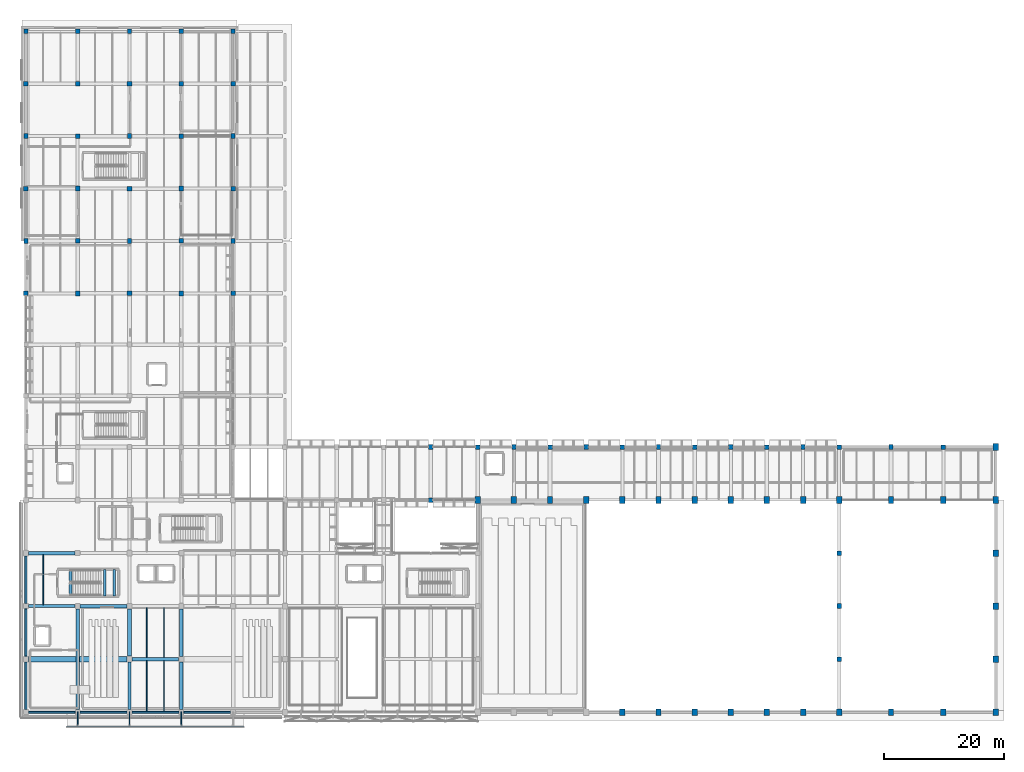
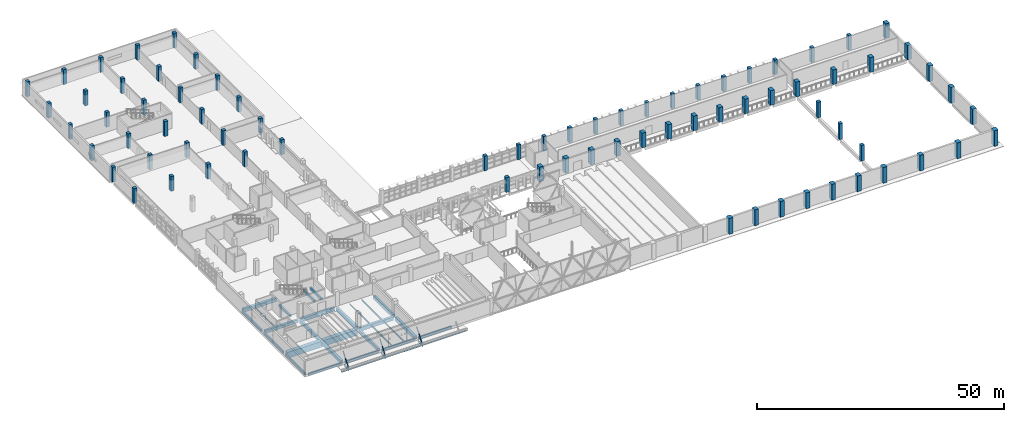
# One storey, part 7 of 80: 76 columns, 29 beams, 3 members.
"""IFC4 building model written with IfcOpenShell, lengths in metres."""

from ifc_helpers import new_model, si_unit, direction, frame, origin, origin_2d, place, context, subcontext, project, spatial, rectangle, hollow_circle, i_section, extrude, material, material_profile, profile_set, type_object, element, save


model = new_model("IFC4")

# Units and contexts
model_context = context("Model", 3, precision=1e-05, world=origin(), true_north=direction((0.0, 1.0)))
body_context = subcontext(model_context, "Body", "Model", "MODEL_VIEW")
ifc_project = project(units=[si_unit("LENGTHUNIT", "METRE"), si_unit("AREAUNIT", "SQUARE_METRE"), si_unit("VOLUMEUNIT", "CUBIC_METRE"), si_unit("PLANEANGLEUNIT", "RADIAN"), si_unit("MASSUNIT", "GRAM", prefix="KILO")], contexts=[model_context])

# Site, building, storey
site_placement = place(None, origin())
site = spatial("IfcSite", under=ifc_project, at=site_placement, CompositionType="ELEMENT")
building_placement = place(site_placement, origin())
building = spatial("IfcBuilding", under=site, at=building_placement, Name="Varnakota Cinema and Media Centre", CompositionType="ELEMENT")
storey_placement = place(building_placement, frame((0.0, 0.0, 4.5)))
storey = spatial("IfcBuildingStorey", under=building, at=storey_placement, Name="L01", CompositionType="ELEMENT", Elevation=4.5)

# Columns
ifc_material_1 = material(Name="Concrete M40", Category="concrete")
ifc_material_profile_1 = material_profile(ifc_material_1, rectangle(XDim=0.699951171875, YDim=0.800048828125, at=origin_2d()), Name="RC 700x800")
ifc_profile_set_1 = profile_set([ifc_material_profile_1], Name="Concrete M40")
column_type_1 = type_object("IfcColumnType", Name="COL-RC-700x800", PredefinedType="COLUMN", material=ifc_profile_set_1)
for number, where, z_axis, x_axis, name in (
    (1, (0.0, 78.199951171875, 0.0), (0.0, 0.0, 1.0), (1.0, 0.0, 0.0), "L01 column A/10"),
    (2, (0.0, 95.60009765625, 0.0), (0.0, 0.0, 1.0), (1.0, 0.0, 0.0), "L01 column A/12"),
    (3, (0.0, 113.0, 0.0), (0.0, 0.0, 1.0), (1.0, 0.0, 0.0), "L01 column A/14"),
    (4, (8.60009765625, 69.5, 0.0), (0.0, 0.0, 1.0), (1.0, 0.0, 0.0), "L01 column B/9"),
    (5, (8.60009765625, 86.89990234375, 0.0), (0.0, 0.0, 1.0), (1.0, 0.0, 0.0), "L01 column B/11"),
    (6, (8.60009765625, 104.300048828125, 0.0), (0.0, 0.0, 1.0), (1.0, 0.0, 0.0), "L01 column B/13"),
    (7, (17.199951171875, 78.199951171875, 0.0), (0.0, 0.0, 1.0), (1.0, 0.0, 0.0), "L01 column C/10"),
    (8, (17.199951171875, 95.60009765625, 0.0), (0.0, 0.0, 1.0), (1.0, 0.0, 0.0), "L01 column C/12"),
    (9, (17.199951171875, 113.0, 0.0), (0.0, 0.0, 1.0), (1.0, 0.0, 0.0), "L01 column C/14"),
    (10, (25.800048828125, 69.5, 0.0), (0.0, 0.0, 1.0), (1.0, 0.0, 0.0), "L01 column D/9"),
    (11, (25.800048828125, 86.89990234375, 0.0), (0.0, 0.0, 1.0), (1.0, 0.0, 0.0), "L01 column D/11"),
    (12, (25.800048828125, 104.300048828125, 0.0), (0.0, 0.0, 1.0), (1.0, 0.0, 0.0), "L01 column D/13"),
    (13, (34.39990234375, 78.199951171875, 0.0), (0.0, 0.0, 1.0), (1.0, 0.0, 0.0), "L01 column E/10"),
    (14, (34.39990234375, 95.60009765625, 0.0), (0.0, 0.0, 1.0), (1.0, 0.0, 0.0), "L01 column E/12"),
    (15, (34.39990234375, 113.0, 0.0), (0.0, 0.0, 1.0), (1.0, 0.0, 0.0), "L01 column E/14"),
    (16, (67.199951171875, 44.0, 0.0), (0.0, 0.0, 1.0), (1.0, 0.0, 0.0), "L01 column J/6"),
    (17, (81.0, 44.0, 0.0), (0.0, 0.0, 1.0), (1.0, 0.0, 0.0), "L01 column L/6"),
    (18, (93.0, 44.0, 0.0), (0.0, 0.0, 1.0), (1.0, 0.0, 0.0), "L01 column N/6"),
    (19, (105.0, 44.0, 0.0), (0.0, 0.0, 1.0), (1.0, 0.0, 0.0), "L01 column Q/6"),
    (20, (117.0, 44.0, 0.0), (0.0, 0.0, 1.0), (1.0, 0.0, 0.0), "L01 column S/6"),
    (21, (129.0, 44.0, 0.0), (0.0, 0.0, 1.0), (1.0, 0.0, 0.0), "L01 column U/6"),
):
    element("IfcColumn", number, at=place(storey_placement, frame(where, z_axis=z_axis, x_axis=x_axis)), inside=storey, type_object=column_type_1, Name=name, PredefinedType="COLUMN", context=body_context, shape_type="SweptSolid", body=[
        extrude(rectangle(XDim=0.699951171875, YDim=0.800048828125, at=origin_2d()), origin(), (0.0, 0.0, 1.0), 3.64990234375),
    ])
column_1_placement = place(storey_placement, frame((135.0, 17.60009765625, 0.0), z_axis=(0.0, 0.0, 1.0), x_axis=(1.0, 0.0, 0.0)))
element("IfcColumn", 22, at=column_1_placement, inside=storey, type_object=column_type_1, Name="L01 column V/3", PredefinedType="COLUMN", context=body_context, shape_type="SweptSolid", body=[
    extrude(rectangle(XDim=0.699951171875, YDim=0.800048828125, at=origin_2d()), origin(), (0.0, 0.0, 1.0), 3.89990234375),
])
column_2_placement = place(storey_placement, frame((143.60009765625, 44.0, 0.0), z_axis=(0.0, 0.0, 1.0), x_axis=(1.0, 0.0, 0.0)))
element("IfcColumn", 23, at=column_2_placement, inside=storey, type_object=column_type_1, Name="L01 column W/6", PredefinedType="COLUMN", context=body_context, shape_type="SweptSolid", body=[
    extrude(rectangle(XDim=0.699951171875, YDim=0.800048828125, at=origin_2d()), origin(), (0.0, 0.0, 1.0), 3.64990234375),
])
ifc_material_2 = material(Name="Concrete M40", Category="concrete")
ifc_material_profile_2 = material_profile(ifc_material_2, rectangle(XDim=0.75, YDim=0.75, at=origin_2d()), Name="RC 750x750")
ifc_profile_set_2 = profile_set([ifc_material_profile_2], Name="Concrete M40")
column_type_2 = type_object("IfcColumnType", Name="COL-RC-750x750", PredefinedType="COLUMN", material=ifc_profile_set_2)
for number, where, z_axis, x_axis, name in (
    (24, (0.0, 69.5, 0.0), (0.0, 0.0, 1.0), (1.0, 0.0, 0.0), "L01 column A/9"),
    (25, (0.0, 86.89990234375, 0.0), (0.0, 0.0, 1.0), (1.0, 0.0, 0.0), "L01 column A/11"),
    (26, (0.0, 104.300048828125, 0.0), (0.0, 0.0, 1.0), (1.0, 0.0, 0.0), "L01 column A/13"),
    (27, (8.60009765625, 78.199951171875, 0.0), (0.0, 0.0, 1.0), (1.0, 0.0, 0.0), "L01 column B/10"),
    (28, (8.60009765625, 95.60009765625, 0.0), (0.0, 0.0, 1.0), (1.0, 0.0, 0.0), "L01 column B/12"),
    (29, (8.60009765625, 113.0, 0.0), (0.0, 0.0, 1.0), (1.0, 0.0, 0.0), "L01 column B/14"),
    (30, (17.199951171875, 69.5, 0.0), (0.0, 0.0, 1.0), (1.0, 0.0, 0.0), "L01 column C/9"),
    (31, (17.199951171875, 86.89990234375, 0.0), (0.0, 0.0, 1.0), (1.0, 0.0, 0.0), "L01 column C/11"),
    (32, (17.199951171875, 104.300048828125, 0.0), (0.0, 0.0, 1.0), (1.0, 0.0, 0.0), "L01 column C/13"),
    (33, (25.800048828125, 78.199951171875, 0.0), (0.0, 0.0, 1.0), (1.0, 0.0, 0.0), "L01 column D/10"),
    (34, (25.800048828125, 95.60009765625, 0.0), (0.0, 0.0, 1.0), (1.0, 0.0, 0.0), "L01 column D/12"),
    (35, (25.800048828125, 113.0, 0.0), (0.0, 0.0, 1.0), (1.0, 0.0, 0.0), "L01 column D/14"),
    (36, (34.39990234375, 69.5, 0.0), (0.0, 0.0, 1.0), (1.0, 0.0, 0.0), "L01 column E/9"),
    (37, (34.39990234375, 86.89990234375, 0.0), (0.0, 0.0, 1.0), (1.0, 0.0, 0.0), "L01 column E/11"),
    (38, (34.39990234375, 104.300048828125, 0.0), (0.0, 0.0, 1.0), (1.0, 0.0, 0.0), "L01 column E/13"),
    (39, (67.199951171875, 35.199951171875, 0.0), (0.0, 0.0, 1.0), (1.0, 0.0, 0.0), "L01 column J/5"),
    (40, (75.0, 44.0, 0.0), (0.0, 0.0, 1.0), (1.0, 0.0, 0.0), "L01 column K/6"),
    (41, (87.0, 44.0, 0.0), (0.0, 0.0, 1.0), (1.0, 0.0, 0.0), "L01 column M/6"),
    (42, (99.0, 44.0, 0.0), (0.0, 0.0, 1.0), (1.0, 0.0, 0.0), "L01 column P/6"),
    (43, (111.0, 44.0, 0.0), (0.0, 0.0, 1.0), (1.0, 0.0, 0.0), "L01 column R/6"),
    (44, (123.0, 44.0, 0.0), (0.0, 0.0, 1.0), (1.0, 0.0, 0.0), "L01 column T/6"),
):
    element("IfcColumn", number, at=place(storey_placement, frame(where, z_axis=z_axis, x_axis=x_axis)), inside=storey, type_object=column_type_2, Name=name, PredefinedType="COLUMN", context=body_context, shape_type="SweptSolid", body=[
        extrude(rectangle(XDim=0.75, YDim=0.75, at=origin_2d()), origin(), (0.0, 0.0, 1.0), 3.64990234375),
    ])
for number, where, z_axis, x_axis, name in (
    (45, (135.0, 8.800048828125, 0.0), (0.0, 0.0, 1.0), (1.0, 0.0, 0.0), "L01 column V/2"),
    (46, (135.0, 26.39990234375, 0.0), (0.0, 0.0, 1.0), (1.0, 0.0, 0.0), "L01 column V/4"),
):
    element("IfcColumn", number, at=place(storey_placement, frame(where, z_axis=z_axis, x_axis=x_axis)), inside=storey, type_object=column_type_2, Name=name, PredefinedType="COLUMN", context=body_context, shape_type="SweptSolid", body=[
        extrude(rectangle(XDim=0.75, YDim=0.75, at=origin_2d()), origin(), (0.0, 0.0, 1.0), 3.89990234375),
    ])
for number, where, z_axis, x_axis, name in (
    (47, (135.0, 44.0, 0.0), (0.0, 0.0, 1.0), (1.0, 0.0, 0.0), "L01 column V/6"),
    (48, (152.300048828125, 44.0, 0.0), (0.0, 0.0, 1.0), (1.0, 0.0, 0.0), "L01 column X/6"),
):
    element("IfcColumn", number, at=place(storey_placement, frame(where, z_axis=z_axis, x_axis=x_axis)), inside=storey, type_object=column_type_2, Name=name, PredefinedType="COLUMN", context=body_context, shape_type="SweptSolid", body=[
        extrude(rectangle(XDim=0.75, YDim=0.75, at=origin_2d()), origin(), (0.0, 0.0, 1.0), 3.64990234375),
    ])
ifc_material_3 = material(Name="Concrete M50", Category="concrete")
ifc_material_profile_3 = material_profile(ifc_material_3, rectangle(XDim=0.89990234375, YDim=1.10009765625, at=origin_2d()), Name="RC 900x1100")
ifc_profile_set_3 = profile_set([ifc_material_profile_3], Name="Concrete M50")
column_type_3 = type_object("IfcColumnType", Name="COL-RC-900x1100", PredefinedType="COLUMN", material=ifc_profile_set_3)
for number, where, z_axis, x_axis, name in (
    (49, (75.0, 35.199951171875, 0.0), (0.0, 0.0, 1.0), (1.0, 0.0, 0.0), "L01 column K/5"),
    (50, (81.0, 35.199951171875, 0.0), (0.0, 0.0, 1.0), (1.0, 0.0, 0.0), "L01 column L/5"),
    (51, (87.0, 35.199951171875, 0.0), (0.0, 0.0, 1.0), (1.0, 0.0, 0.0), "L01 column M/5"),
    (52, (93.0, 35.199951171875, 0.0), (0.0, 0.0, 1.0), (1.0, 0.0, 0.0), "L01 column N/5"),
):
    element("IfcColumn", number, at=place(storey_placement, frame(where, z_axis=z_axis, x_axis=x_axis)), inside=storey, type_object=column_type_3, Name=name, PredefinedType="COLUMN", context=body_context, shape_type="SweptSolid", body=[
        extrude(rectangle(XDim=0.89990234375, YDim=1.10009765625, at=origin_2d()), origin(), (0.0, 0.0, 1.0), 3.64990234375),
    ])
column_3_placement = place(storey_placement, frame((99.0, 0.0, 0.0), z_axis=(0.0, 0.0, 1.0), x_axis=(1.0, 0.0, 0.0)))
element("IfcColumn", 53, at=column_3_placement, inside=storey, type_object=column_type_3, Name="L01 column P/1", PredefinedType="COLUMN", context=body_context, shape_type="SweptSolid", body=[
    extrude(rectangle(XDim=0.89990234375, YDim=1.10009765625, at=origin_2d()), origin(), (0.0, 0.0, 1.0), 3.89990234375),
])
column_4_placement = place(storey_placement, frame((99.0, 35.199951171875, 0.0), z_axis=(0.0, 0.0, 1.0), x_axis=(1.0, 0.0, 0.0)))
element("IfcColumn", 54, at=column_4_placement, inside=storey, type_object=column_type_3, Name="L01 column P/5", PredefinedType="COLUMN", context=body_context, shape_type="SweptSolid", body=[
    extrude(rectangle(XDim=0.89990234375, YDim=1.10009765625, at=origin_2d()), origin(), (0.0, 0.0, 1.0), 3.64990234375),
])
column_5_placement = place(storey_placement, frame((105.0, 0.0, 0.0), z_axis=(0.0, 0.0, 1.0), x_axis=(1.0, 0.0, 0.0)))
element("IfcColumn", 55, at=column_5_placement, inside=storey, type_object=column_type_3, Name="L01 column Q/1", PredefinedType="COLUMN", context=body_context, shape_type="SweptSolid", body=[
    extrude(rectangle(XDim=0.89990234375, YDim=1.10009765625, at=origin_2d()), origin(), (0.0, 0.0, 1.0), 3.89990234375),
])
column_6_placement = place(storey_placement, frame((105.0, 35.199951171875, 0.0), z_axis=(0.0, 0.0, 1.0), x_axis=(1.0, 0.0, 0.0)))
element("IfcColumn", 56, at=column_6_placement, inside=storey, type_object=column_type_3, Name="L01 column Q/5", PredefinedType="COLUMN", context=body_context, shape_type="SweptSolid", body=[
    extrude(rectangle(XDim=0.89990234375, YDim=1.10009765625, at=origin_2d()), origin(), (0.0, 0.0, 1.0), 3.64990234375),
])
column_7_placement = place(storey_placement, frame((111.0, 0.0, 0.0), z_axis=(0.0, 0.0, 1.0), x_axis=(1.0, 0.0, 0.0)))
element("IfcColumn", 57, at=column_7_placement, inside=storey, type_object=column_type_3, Name="L01 column R/1", PredefinedType="COLUMN", context=body_context, shape_type="SweptSolid", body=[
    extrude(rectangle(XDim=0.89990234375, YDim=1.10009765625, at=origin_2d()), origin(), (0.0, 0.0, 1.0), 3.89990234375),
])
column_8_placement = place(storey_placement, frame((111.0, 35.199951171875, 0.0), z_axis=(0.0, 0.0, 1.0), x_axis=(1.0, 0.0, 0.0)))
element("IfcColumn", 58, at=column_8_placement, inside=storey, type_object=column_type_3, Name="L01 column R/5", PredefinedType="COLUMN", context=body_context, shape_type="SweptSolid", body=[
    extrude(rectangle(XDim=0.89990234375, YDim=1.10009765625, at=origin_2d()), origin(), (0.0, 0.0, 1.0), 3.64990234375),
])
column_9_placement = place(storey_placement, frame((117.0, 0.0, 0.0), z_axis=(0.0, 0.0, 1.0), x_axis=(1.0, 0.0, 0.0)))
element("IfcColumn", 59, at=column_9_placement, inside=storey, type_object=column_type_3, Name="L01 column S/1", PredefinedType="COLUMN", context=body_context, shape_type="SweptSolid", body=[
    extrude(rectangle(XDim=0.89990234375, YDim=1.10009765625, at=origin_2d()), origin(), (0.0, 0.0, 1.0), 3.89990234375),
])
column_10_placement = place(storey_placement, frame((117.0, 35.199951171875, 0.0), z_axis=(0.0, 0.0, 1.0), x_axis=(1.0, 0.0, 0.0)))
element("IfcColumn", 60, at=column_10_placement, inside=storey, type_object=column_type_3, Name="L01 column S/5", PredefinedType="COLUMN", context=body_context, shape_type="SweptSolid", body=[
    extrude(rectangle(XDim=0.89990234375, YDim=1.10009765625, at=origin_2d()), origin(), (0.0, 0.0, 1.0), 3.64990234375),
])
column_11_placement = place(storey_placement, frame((123.0, 0.0, 0.0), z_axis=(0.0, 0.0, 1.0), x_axis=(1.0, 0.0, 0.0)))
element("IfcColumn", 61, at=column_11_placement, inside=storey, type_object=column_type_3, Name="L01 column T/1", PredefinedType="COLUMN", context=body_context, shape_type="SweptSolid", body=[
    extrude(rectangle(XDim=0.89990234375, YDim=1.10009765625, at=origin_2d()), origin(), (0.0, 0.0, 1.0), 3.89990234375),
])
column_12_placement = place(storey_placement, frame((123.0, 35.199951171875, 0.0), z_axis=(0.0, 0.0, 1.0), x_axis=(1.0, 0.0, 0.0)))
element("IfcColumn", 62, at=column_12_placement, inside=storey, type_object=column_type_3, Name="L01 column T/5", PredefinedType="COLUMN", context=body_context, shape_type="SweptSolid", body=[
    extrude(rectangle(XDim=0.89990234375, YDim=1.10009765625, at=origin_2d()), origin(), (0.0, 0.0, 1.0), 3.64990234375),
])
column_13_placement = place(storey_placement, frame((129.0, 0.0, 0.0), z_axis=(0.0, 0.0, 1.0), x_axis=(1.0, 0.0, 0.0)))
element("IfcColumn", 63, at=column_13_placement, inside=storey, type_object=column_type_3, Name="L01 column U/1", PredefinedType="COLUMN", context=body_context, shape_type="SweptSolid", body=[
    extrude(rectangle(XDim=0.89990234375, YDim=1.10009765625, at=origin_2d()), origin(), (0.0, 0.0, 1.0), 3.89990234375),
])
column_14_placement = place(storey_placement, frame((129.0, 35.199951171875, 0.0), z_axis=(0.0, 0.0, 1.0), x_axis=(1.0, 0.0, 0.0)))
element("IfcColumn", 64, at=column_14_placement, inside=storey, type_object=column_type_3, Name="L01 column U/5", PredefinedType="COLUMN", context=body_context, shape_type="SweptSolid", body=[
    extrude(rectangle(XDim=0.89990234375, YDim=1.10009765625, at=origin_2d()), origin(), (0.0, 0.0, 1.0), 3.64990234375),
])
column_15_placement = place(storey_placement, frame((135.0, 0.0, 0.0), z_axis=(0.0, 0.0, 1.0), x_axis=(1.0, 0.0, 0.0)))
element("IfcColumn", 65, at=column_15_placement, inside=storey, type_object=column_type_3, Name="L01 column V/1", PredefinedType="COLUMN", context=body_context, shape_type="SweptSolid", body=[
    extrude(rectangle(XDim=0.89990234375, YDim=1.10009765625, at=origin_2d()), origin(), (0.0, 0.0, 1.0), 3.89990234375),
])
column_16_placement = place(storey_placement, frame((135.0, 35.199951171875, 0.0), z_axis=(0.0, 0.0, 1.0), x_axis=(1.0, 0.0, 0.0)))
element("IfcColumn", 66, at=column_16_placement, inside=storey, type_object=column_type_3, Name="L01 column V/5", PredefinedType="COLUMN", context=body_context, shape_type="SweptSolid", body=[
    extrude(rectangle(XDim=0.89990234375, YDim=1.10009765625, at=origin_2d()), origin(), (0.0, 0.0, 1.0), 3.64990234375),
])
column_17_placement = place(storey_placement, frame((143.60009765625, 0.0, 0.0), z_axis=(0.0, 0.0, 1.0), x_axis=(1.0, 0.0, 0.0)))
element("IfcColumn", 67, at=column_17_placement, inside=storey, type_object=column_type_3, Name="L01 column W/1", PredefinedType="COLUMN", context=body_context, shape_type="SweptSolid", body=[
    extrude(rectangle(XDim=0.89990234375, YDim=1.10009765625, at=origin_2d()), origin(), (0.0, 0.0, 1.0), 3.89990234375),
])
column_18_placement = place(storey_placement, frame((143.60009765625, 35.199951171875, 0.0), z_axis=(0.0, 0.0, 1.0), x_axis=(1.0, 0.0, 0.0)))
element("IfcColumn", 68, at=column_18_placement, inside=storey, type_object=column_type_3, Name="L01 column W/5", PredefinedType="COLUMN", context=body_context, shape_type="SweptSolid", body=[
    extrude(rectangle(XDim=0.89990234375, YDim=1.10009765625, at=origin_2d()), origin(), (0.0, 0.0, 1.0), 3.64990234375),
])
column_19_placement = place(storey_placement, frame((152.300048828125, 0.0, 0.0), z_axis=(0.0, 0.0, 1.0), x_axis=(1.0, 0.0, 0.0)))
element("IfcColumn", 69, at=column_19_placement, inside=storey, type_object=column_type_3, Name="L01 column X/1", PredefinedType="COLUMN", context=body_context, shape_type="SweptSolid", body=[
    extrude(rectangle(XDim=0.89990234375, YDim=1.10009765625, at=origin_2d()), origin(), (0.0, 0.0, 1.0), 3.89990234375),
])
column_20_placement = place(storey_placement, frame((152.300048828125, 35.199951171875, 0.0), z_axis=(0.0, 0.0, 1.0), x_axis=(1.0, 0.0, 0.0)))
element("IfcColumn", 70, at=column_20_placement, inside=storey, type_object=column_type_3, Name="L01 column X/5", PredefinedType="COLUMN", context=body_context, shape_type="SweptSolid", body=[
    extrude(rectangle(XDim=0.89990234375, YDim=1.10009765625, at=origin_2d()), origin(), (0.0, 0.0, 1.0), 3.64990234375),
])
for number, where, z_axis, x_axis, name in (
    (71, (161.0, 0.0, 0.0), (0.0, 0.0, 1.0), (1.0, 0.0, 0.0), "L01 column Y/1"),
    (72, (161.0, 8.800048828125, 0.0), (0.0, 0.0, 1.0), (1.0, 0.0, 0.0), "L01 column Y/2"),
    (73, (161.0, 17.60009765625, 0.0), (0.0, 0.0, 1.0), (1.0, 0.0, 0.0), "L01 column Y/3"),
    (74, (161.0, 26.39990234375, 0.0), (0.0, 0.0, 1.0), (1.0, 0.0, 0.0), "L01 column Y/4"),
):
    element("IfcColumn", number, at=place(storey_placement, frame(where, z_axis=z_axis, x_axis=x_axis)), inside=storey, type_object=column_type_3, Name=name, PredefinedType="COLUMN", context=body_context, shape_type="SweptSolid", body=[
        extrude(rectangle(XDim=0.89990234375, YDim=1.10009765625, at=origin_2d()), origin(), (0.0, 0.0, 1.0), 3.89990234375),
    ])
for number, where, z_axis, x_axis, name in (
    (75, (161.0, 35.199951171875, 0.0), (0.0, 0.0, 1.0), (1.0, 0.0, 0.0), "L01 column Y/5"),
    (76, (161.0, 44.0, 0.0), (0.0, 0.0, 1.0), (1.0, 0.0, 0.0), "L01 column Y/6"),
):
    element("IfcColumn", number, at=place(storey_placement, frame(where, z_axis=z_axis, x_axis=x_axis)), inside=storey, type_object=column_type_3, Name=name, PredefinedType="COLUMN", context=body_context, shape_type="SweptSolid", body=[
        extrude(rectangle(XDim=0.89990234375, YDim=1.10009765625, at=origin_2d()), origin(), (0.0, 0.0, 1.0), 3.64990234375),
    ])

# Beams
ifc_material_4 = material(Name="Concrete M35", Category="concrete")
ifc_material_profile_4 = material_profile(ifc_material_4, rectangle(XDim=0.39990234375, YDim=0.550048828125, at=origin_2d()), Name="RCB 400x550")
ifc_profile_set_4 = profile_set([ifc_material_profile_4], Name="Concrete M35")
beam_type_1 = type_object("IfcBeamType", Name="BM-RC-400x550", PredefinedType="BEAM", material=ifc_profile_set_4)
for number, where, z_axis, x_axis, name in (
    (77, (13.064697265625, 19.25, 1.47509765625), (0.0, 1.0, 0.0), (-1.0, 0.0, 0.0), "L01 ST-01 landing support beam 1"),
    (78, (14.6552734375, 19.25, 1.47509765625), (0.0, 1.0, 0.0), (-1.0, 0.0, 0.0), "L01 ST-01 landing support beam 2"),
):
    element("IfcBeam", number, at=place(storey_placement, frame(where, z_axis=z_axis, x_axis=x_axis)), inside=storey, type_object=beam_type_1, Name=name, PredefinedType="BEAM", context=body_context, shape_type="SweptSolid", body=[
        extrude(rectangle(XDim=0.39990234375, YDim=0.550048828125, at=origin_2d()), origin(), (0.0, 0.0, 1.0), 4.449951171875),
    ])
ifc_material_5 = material(Name="Concrete M40", Category="concrete")
ifc_material_profile_5 = material_profile(ifc_material_5, rectangle(XDim=0.449951171875, YDim=0.550048828125, at=origin_2d()), Name="RCB 450x550")
ifc_profile_set_5 = profile_set([ifc_material_profile_5], Name="Concrete M40")
beam_type_2 = type_object("IfcBeamType", Name="BM-RC-450x550", PredefinedType="BEAM", material=ifc_profile_set_5)
beam_1_placement = place(storey_placement, frame((7.419921875, 19.25, -0.27490234375), z_axis=(0.0, 1.0, 0.0), x_axis=(-1.0, 0.0, 0.0)))
element("IfcBeam", 79, at=beam_1_placement, inside=storey, type_object=beam_type_2, Name="L01 ST-01 stair arrival trimmer beam", PredefinedType="BEAM", context=body_context, shape_type="SweptSolid", body=[
    extrude(rectangle(XDim=0.449951171875, YDim=0.550048828125, at=origin_2d()), origin(), (0.0, 0.0, 1.0), 4.449951171875),
])
ifc_material_6 = material(Name="Concrete M35", Category="concrete")
ifc_material_profile_6 = material_profile(ifc_material_6, rectangle(XDim=0.5, YDim=0.75, at=origin_2d()), Name="RCB 500x750")
ifc_profile_set_6 = profile_set([ifc_material_profile_6], Name="Concrete M35")
beam_type_3 = type_object("IfcBeamType", Name="BM-RC-500x750", PredefinedType="BEAM", material=ifc_profile_set_6)
beam_2_placement = place(storey_placement, frame((0.449951171875, 17.60009765625, -0.625), z_axis=(1.0, 0.0, 0.0), x_axis=(0.0, 1.0, 0.0)))
element("IfcBeam", 80, at=beam_2_placement, inside=storey, type_object=beam_type_3, Name="L01 girder A-B/3", PredefinedType="BEAM", context=body_context, shape_type="SweptSolid", body=[
    extrude(rectangle(XDim=0.5, YDim=0.75, at=origin_2d()), origin(), (0.0, 0.0, 1.0), 7.72509765625),
])
beam_3_placement = place(storey_placement, frame((17.199951171875, 0.449951171875, -0.625), z_axis=(0.0, 1.0, 0.0), x_axis=(-1.0, 0.0, 0.0)))
element("IfcBeam", 81, at=beam_3_placement, inside=storey, type_object=beam_type_3, Name="L01 girder C/1-2", PredefinedType="BEAM", context=body_context, shape_type="SweptSolid", body=[
    extrude(rectangle(XDim=0.5, YDim=0.75, at=origin_2d()), origin(), (0.0, 0.0, 1.0), 7.875),
])
ifc_material_7 = material(Name="Concrete M35", Category="concrete")
ifc_material_profile_7 = material_profile(ifc_material_7, rectangle(XDim=0.550048828125, YDim=0.800048828125, at=origin_2d()), Name="RCB 550x800")
ifc_profile_set_7 = profile_set([ifc_material_profile_7], Name="Concrete M35")
beam_type_4 = type_object("IfcBeamType", Name="BM-RC-550x800", PredefinedType="BEAM", material=ifc_profile_set_7)
beam_4_placement = place(storey_placement, frame((8.60009765625, 0.47509765625, -0.64990234375), z_axis=(0.0, 1.0, 0.0), x_axis=(-1.0, 0.0, 0.0)))
element("IfcBeam", 82, at=beam_4_placement, inside=storey, type_object=beam_type_4, Name="L01 girder B/1-3", PredefinedType="BEAM", context=body_context, shape_type="SweptSolid", body=[
    extrude(rectangle(XDim=0.550048828125, YDim=0.800048828125, at=origin_2d()), origin(), (0.0, 0.0, 1.0), 16.64990234375),
])
beam_5_placement = place(storey_placement, frame((25.800048828125, 9.25, -0.64990234375), z_axis=(0.0, 1.0, 0.0), x_axis=(-1.0, 0.0, 0.0)))
element("IfcBeam", 83, at=beam_5_placement, inside=storey, type_object=beam_type_4, Name="L01 girder D/2-3", PredefinedType="BEAM", context=body_context, shape_type="SweptSolid", body=[
    extrude(rectangle(XDim=0.550048828125, YDim=0.800048828125, at=origin_2d()), origin(), (0.0, 0.0, 1.0), 7.875),
])
ifc_material_8 = material(Name="Concrete M35", Category="concrete")
ifc_material_profile_8 = material_profile(ifc_material_8, rectangle(XDim=0.60009765625, YDim=0.85009765625, at=origin_2d()), Name="RCB 600x850")
ifc_profile_set_8 = profile_set([ifc_material_profile_8], Name="Concrete M35")
beam_type_5 = type_object("IfcBeamType", Name="BM-RC-600x850", PredefinedType="BEAM", material=ifc_profile_set_8)
for number, where, z_axis, x_axis, name in (
    (84, (17.625, 8.800048828125, -0.675048828125), (1.0, 0.0, 0.0), (0.0, 1.0, 0.0), "L01 girder C-D/2"),
    (85, (9.02490234375, 17.60009765625, -0.675048828125), (1.0, 0.0, 0.0), (0.0, 1.0, 0.0), "L01 girder B-C/3"),
):
    element("IfcBeam", number, at=place(storey_placement, frame(where, z_axis=z_axis, x_axis=x_axis)), inside=storey, type_object=beam_type_5, Name=name, PredefinedType="BEAM", context=body_context, shape_type="SweptSolid", body=[
        extrude(rectangle(XDim=0.60009765625, YDim=0.85009765625, at=origin_2d()), origin(), (0.0, 0.0, 1.0), 7.72509765625),
    ])
beam_6_placement = place(storey_placement, frame((0.425048828125, 26.39990234375, -0.675048828125), z_axis=(1.0, 0.0, 0.0), x_axis=(0.0, 1.0, 0.0)))
element("IfcBeam", 86, at=beam_6_placement, inside=storey, type_object=beam_type_5, Name="L01 girder A-B/4", PredefinedType="BEAM", context=body_context, shape_type="SweptSolid", body=[
    extrude(rectangle(XDim=0.60009765625, YDim=0.85009765625, at=origin_2d()), origin(), (0.0, 0.0, 1.0), 7.724853515625),
])
for number, where, z_axis, x_axis, name in (
    (87, (17.199951171875, 9.27490234375, -0.675048828125), (0.0, 1.0, 0.0), (-1.0, 0.0, 0.0), "L01 girder C/2-3"),
    (88, (25.800048828125, 0.47509765625, -0.675048828125), (0.0, 1.0, 0.0), (-1.0, 0.0, 0.0), "L01 girder D/1-2"),
):
    element("IfcBeam", number, at=place(storey_placement, frame(where, z_axis=z_axis, x_axis=x_axis)), inside=storey, type_object=beam_type_5, Name=name, PredefinedType="BEAM", context=body_context, shape_type="SweptSolid", body=[
        extrude(rectangle(XDim=0.60009765625, YDim=0.85009765625, at=origin_2d()), origin(), (0.0, 0.0, 1.0), 7.875),
    ])
ifc_material_9 = material(Name="Concrete M35", Category="concrete")
ifc_material_profile_9 = material_profile(ifc_material_9, rectangle(XDim=0.300048828125, YDim=0.60009765625, at=origin_2d()), Name="RCB 300x600")
ifc_profile_set_9 = profile_set([ifc_material_profile_9], Name="Concrete M35")
beam_type_6 = type_object("IfcBeamType", Name="BM-SP-300x600", PredefinedType="SPANDREL", material=ifc_profile_set_9)
for number, where, z_axis, x_axis, name in (
    (89, (0.449951171875, 0.0, -0.550048828125), (1.0, 0.0, 0.0), (0.0, 1.0, 0.0), "L01 girder A-B/1"),
    (90, (9.02490234375, 0.0, -0.550048828125), (1.0, 0.0, 0.0), (0.0, 1.0, 0.0), "L01 girder B-C/1"),
    (91, (17.64990234375, 0.0, -0.550048828125), (1.0, 0.0, 0.0), (0.0, 1.0, 0.0), "L01 girder C-D/1"),
):
    element("IfcBeam", number, at=place(storey_placement, frame(where, z_axis=z_axis, x_axis=x_axis)), inside=storey, type_object=beam_type_6, Name=name, PredefinedType="SPANDREL", context=body_context, shape_type="SweptSolid", body=[
        extrude(rectangle(XDim=0.300048828125, YDim=0.60009765625, at=origin_2d()), origin(), (0.0, 0.0, 1.0), 7.72509765625),
    ])
beam_7_placement = place(storey_placement, frame((26.22509765625, 0.0, -0.550048828125), z_axis=(1.0, 0.0, 0.0), x_axis=(0.0, 1.0, 0.0)))
element("IfcBeam", 92, at=beam_7_placement, inside=storey, type_object=beam_type_6, Name="L01 girder D-E/1", PredefinedType="SPANDREL", context=body_context, shape_type="SweptSolid", body=[
    extrude(rectangle(XDim=0.300048828125, YDim=0.60009765625, at=origin_2d()), origin(), (0.0, 0.0, 1.0), 7.724853515625),
])
for number, where, z_axis, x_axis, name in (
    (93, (0.0, 0.449951171875, -0.550048828125), (0.0, 1.0, 0.0), (-1.0, 0.0, 0.0), "L01 girder A/1-2"),
    (94, (0.0, 9.27490234375, -0.550048828125), (0.0, 1.0, 0.0), (-1.0, 0.0, 0.0), "L01 girder A/2-3"),
    (95, (0.0, 18.050048828125, -0.550048828125), (0.0, 1.0, 0.0), (-1.0, 0.0, 0.0), "L01 girder A/3-4"),
):
    element("IfcBeam", number, at=place(storey_placement, frame(where, z_axis=z_axis, x_axis=x_axis)), inside=storey, type_object=beam_type_6, Name=name, PredefinedType="SPANDREL", context=body_context, shape_type="SweptSolid", body=[
        extrude(rectangle(XDim=0.300048828125, YDim=0.60009765625, at=origin_2d()), origin(), (0.0, 0.0, 1.0), 7.875),
    ])
ifc_material_10 = material(Name="Structural steel Grade 350 (E350)", Category="steel")
ifc_material_profile_10 = material_profile(ifc_material_10, i_section(OverallWidth=0.139892578125, OverallDepth=0.35009765625, WebThickness=0.008056640625, FlangeThickness=0.01416015625, FilletRadius=0.013916015625, at=origin_2d()), Name="ISMB 350")
ifc_profile_set_10 = profile_set([ifc_material_profile_10], Name="Structural steel Grade 350 (E350)")
beam_type_7 = type_object("IfcBeamType", Name="BM-ST-ISMB350", PredefinedType="JOIST", material=ifc_profile_set_10)
beam_8_placement = place(storey_placement, frame((2.86669921875, 17.85009765625, -0.425048828125), z_axis=(0.0, 1.0, 0.0), x_axis=(-1.0, 0.0, 0.0)))
element("IfcBeam", 96, at=beam_8_placement, inside=storey, type_object=beam_type_7, Name="L01 steel joist A-B/3-4 #1", PredefinedType="JOIST", context=body_context, shape_type="SweptSolid", body=[
    extrude(i_section(OverallWidth=0.139892578125, OverallDepth=0.35009765625, WebThickness=0.008056640625, FlangeThickness=0.01416015625, FilletRadius=0.013916015625, at=origin_2d()), origin(), (0.0, 0.0, 1.0), 8.25),
])
for number, where, z_axis, x_axis, name in (
    (97, (20.066650390625, 0.14990234375, -0.425048828125), (0.0, 1.0, 0.0), (-1.0, 0.0, 0.0), "L01 steel joist C-D/1-2 #1"),
    (98, (22.933349609375, 0.14990234375, -0.425048828125), (0.0, 1.0, 0.0), (-1.0, 0.0, 0.0), "L01 steel joist C-D/1-2 #2"),
):
    element("IfcBeam", number, at=place(storey_placement, frame(where, z_axis=z_axis, x_axis=x_axis)), inside=storey, type_object=beam_type_7, Name=name, PredefinedType="JOIST", context=body_context, shape_type="SweptSolid", body=[
        extrude(i_section(OverallWidth=0.139892578125, OverallDepth=0.35009765625, WebThickness=0.008056640625, FlangeThickness=0.01416015625, FilletRadius=0.013916015625, at=origin_2d()), origin(), (0.0, 0.0, 1.0), 8.35009765625),
    ])
beam_9_placement = place(storey_placement, frame((6.800048828125, -2.3798828125, -0.719970703125), z_axis=(1.0, 0.0, 0.0), x_axis=(0.0, 1.0, 0.0)))
element("IfcBeam", 99, at=beam_9_placement, inside=storey, type_object=beam_type_7, Name="V4 cinema marquee front edge beam", PredefinedType="JOIST", context=body_context, shape_type="SweptSolid", body=[
    extrude(i_section(OverallWidth=0.139892578125, OverallDepth=0.35009765625, WebThickness=0.008056640625, FlangeThickness=0.01416015625, FilletRadius=0.013916015625, at=origin_2d()), origin(), (0.0, 0.0, 1.0), 29.39990234375),
])
ifc_material_11 = material(Name="Structural steel Grade 350 (E350)", Category="steel")
ifc_material_profile_11 = material_profile(ifc_material_11, i_section(OverallWidth=0.139892578125, OverallDepth=0.39990234375, WebThickness=0.0087890625, FlangeThickness=0.01611328125, FilletRadius=0.013916015625, at=origin_2d()), Name="ISMB 400")
ifc_profile_set_11 = profile_set([ifc_material_profile_11], Name="Structural steel Grade 350 (E350)")
beam_type_8 = type_object("IfcBeamType", Name="BM-ST-ISMB400", PredefinedType="JOIST", material=ifc_profile_set_11)
for number, where, z_axis, x_axis, name in (
    (100, (20.066650390625, 9.10009765625, -0.449951171875), (0.0, 1.0, 0.0), (-1.0, 0.0, 0.0), "L01 steel joist C-D/2-3 #1"),
    (101, (22.933349609375, 9.10009765625, -0.449951171875), (0.0, 1.0, 0.0), (-1.0, 0.0, 0.0), "L01 steel joist C-D/2-3 #2"),
):
    element("IfcBeam", number, at=place(storey_placement, frame(where, z_axis=z_axis, x_axis=x_axis)), inside=storey, type_object=beam_type_8, Name=name, PredefinedType="JOIST", context=body_context, shape_type="SweptSolid", body=[
        extrude(i_section(OverallWidth=0.139892578125, OverallDepth=0.39990234375, WebThickness=0.0087890625, FlangeThickness=0.01611328125, FilletRadius=0.013916015625, at=origin_2d()), origin(), (0.0, 0.0, 1.0), 8.224853515625),
    ])
ifc_material_12 = material(Name="Structural steel Grade 350 (E350)", Category="steel")
ifc_material_profile_12 = material_profile(ifc_material_12, i_section(OverallWidth=0.179931640625, OverallDepth=0.5, WebThickness=0.01025390625, FlangeThickness=0.01708984375, FilletRadius=0.01708984375, at=origin_2d()), Name="ISMB 500")
ifc_profile_set_12 = profile_set([ifc_material_profile_12], Name="Structural steel Grade 350 (E350)")
beam_type_9 = type_object("IfcBeamType", Name="BM-ST-ISMB500", PredefinedType="BEAM", material=ifc_profile_set_12)
for number, where, z_axis, x_axis, name in (
    (102, (8.60009765625, -0.449951171875, -0.800048828125), (0.0, -1.0, 0.0), (1.0, 0.0, 0.0), "V4 cinema marquee continuous cantilever girder 1"),
    (103, (17.199951171875, -0.449951171875, -0.800048828125), (0.0, -1.0, 0.0), (1.0, 0.0, 0.0), "V4 cinema marquee continuous cantilever girder 2"),
    (104, (25.800048828125, -0.449951171875, -0.800048828125), (0.0, -1.0, 0.0), (1.0, 0.0, 0.0), "V4 cinema marquee continuous cantilever girder 3"),
):
    element("IfcBeam", number, at=place(storey_placement, frame(where, z_axis=z_axis, x_axis=x_axis)), inside=storey, type_object=beam_type_9, Name=name, PredefinedType="BEAM", context=body_context, shape_type="SweptSolid", body=[
        extrude(i_section(OverallWidth=0.179931640625, OverallDepth=0.5, WebThickness=0.01025390625, FlangeThickness=0.01708984375, FilletRadius=0.01708984375, at=origin_2d()), origin(), (0.0, 0.0, 1.0), 1.969970703125),
    ])
ifc_material_13 = material(Name="Concrete M50", Category="concrete")
ifc_material_profile_13 = material_profile(ifc_material_13, rectangle(XDim=0.89990234375, YDim=1.449951171875, at=origin_2d()), Name="RCB 900x1450")
ifc_profile_set_13 = profile_set([ifc_material_profile_13], Name="Concrete M50")
beam_type_10 = type_object("IfcBeamType", Name="BM-TG-900x1450", PredefinedType="BEAM", material=ifc_profile_set_13)
beam_10_placement = place(storey_placement, frame((0.425048828125, 8.800048828125, -0.97509765625), z_axis=(1.0, 0.0, 0.0), x_axis=(0.0, 1.0, 0.0)))
element("IfcBeam", 105, at=beam_10_placement, inside=storey, type_object=beam_type_10, Name="L01 girder A-C/2", PredefinedType="BEAM", context=body_context, shape_type="SweptSolid", body=[
    extrude(rectangle(XDim=0.89990234375, YDim=1.449951171875, at=origin_2d()), origin(), (0.0, 0.0, 1.0), 16.349853515625),
])

# Members
ifc_material_14 = material(Name="Structural steel S355 (YSt 355)", Category="steel")
ifc_material_profile_14 = material_profile(ifc_material_14, hollow_circle(Radius=0.06982421875, WallThickness=0.006103515625, at=origin_2d()), Name="CHS 139.7x6.0")
ifc_profile_set_14 = profile_set([ifc_material_profile_14], Name="Structural steel S355 (YSt 355)")
member_type = type_object("IfcMemberType", Name="MEM-ST-CHS139_7x6_0", PredefinedType="CHORD", material=ifc_profile_set_14)
for number, where, z_axis, x_axis, name in (
    (106, (8.60009765625, -2.25, -0.56005859375), (0.0, 0.611659036583, 0.791121496969), (-1.0, 0.0, 0.0), "V4 cinema marquee diagonal tension hanger 1"),
    (107, (17.199951171875, -2.25, -0.56005859375), (0.0, 0.611659036583, 0.791121496969), (-1.0, 0.0, 0.0), "V4 cinema marquee diagonal tension hanger 2"),
    (108, (25.800048828125, -2.25, -0.56005859375), (0.0, 0.611659036583, 0.791121496969), (-1.0, 0.0, 0.0), "V4 cinema marquee diagonal tension hanger 3"),
):
    element("IfcMember", number, at=place(storey_placement, frame(where, z_axis=z_axis, x_axis=x_axis)), inside=storey, type_object=member_type, Name=name, PredefinedType="CHORD", context=body_context, shape_type="SweptSolid", body=[
        extrude(hollow_circle(Radius=0.06982421875, WallThickness=0.006103515625, at=origin_2d()), origin(), (0.0, 0.0, 1.0), 3.678466796875),
    ])

save(model, "model.ifc")
